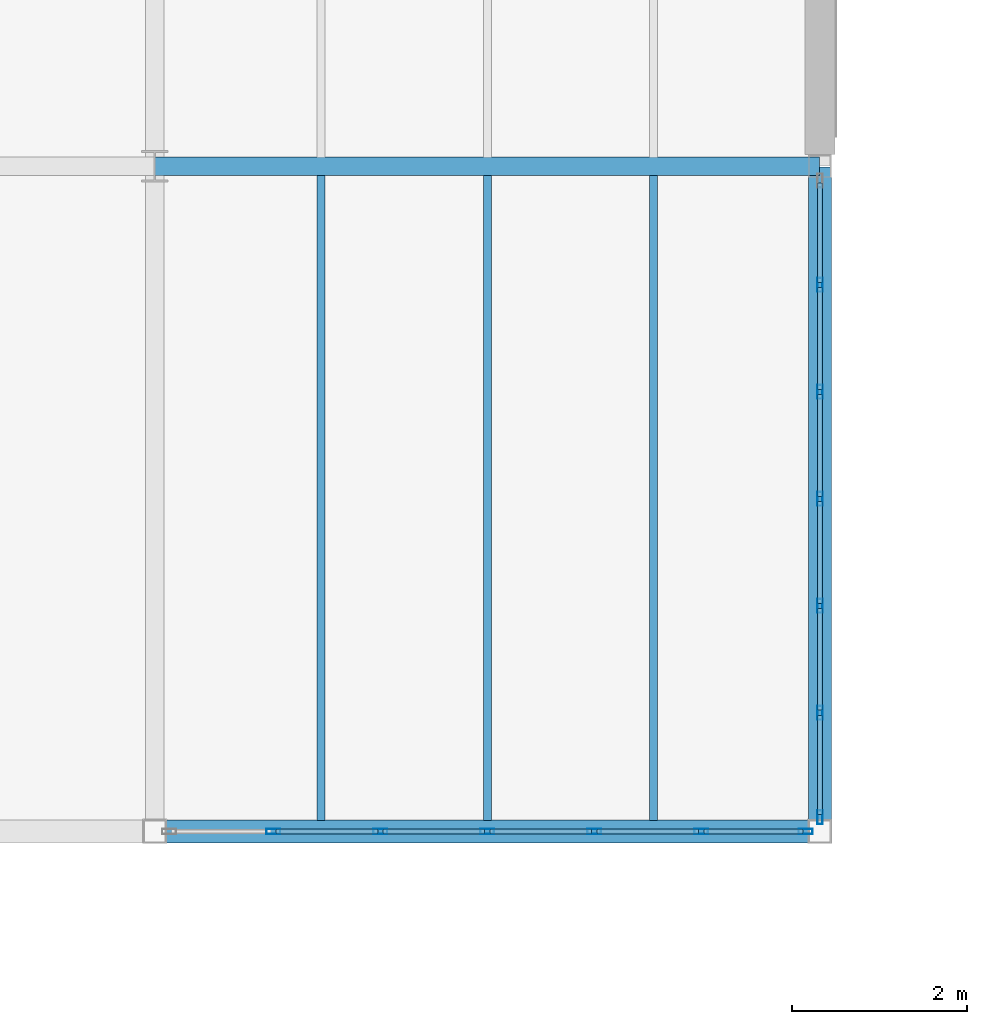
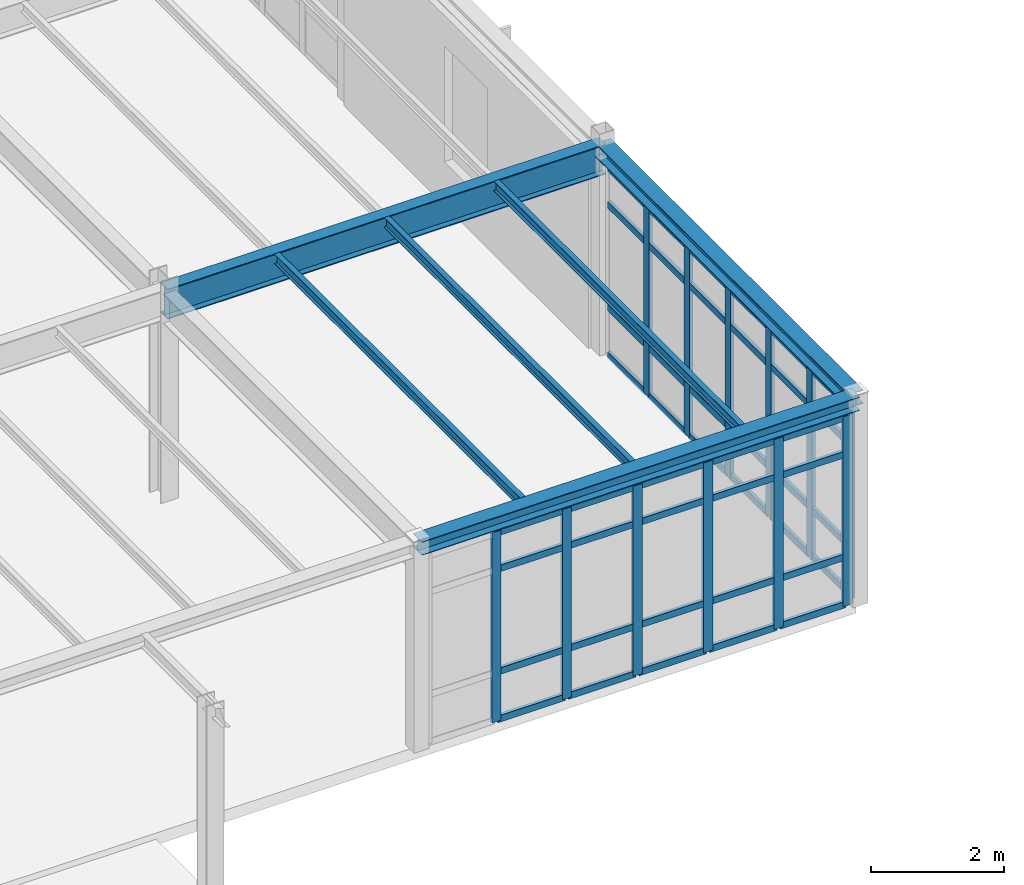
# One storey, part 65 of 189: 56 members, 6 beams, 2 elements without a shape of their own.
"""IFC4 building model written with IfcOpenShell, lengths in metres."""

from ifc_helpers import new_model, si_unit, direction, frame, origin, origin_2d, place, context, subcontext, project, spatial, hollow_rectangle, i_section, extrude, material, layer, layer_set, material_profile, profile_set, type_object, element, aggregate, save


model = new_model("IFC4")

# Units and contexts
model_context = context("Model", 3, precision=1e-05, world=origin(), true_north=direction((0.0, 1.0)))
body_context = subcontext(model_context, "Body", "Model", "MODEL_VIEW")
ifc_project = project(units=[si_unit("LENGTHUNIT", "METRE"), si_unit("AREAUNIT", "SQUARE_METRE"), si_unit("VOLUMEUNIT", "CUBIC_METRE"), si_unit("PLANEANGLEUNIT", "RADIAN"), si_unit("MASSUNIT", "GRAM", prefix="KILO")], contexts=[model_context])

# Site, building, storey
site_placement = place(None, origin())
site = spatial("IfcSite", under=ifc_project, at=site_placement, CompositionType="ELEMENT")
building_placement = place(site_placement, origin())
building = spatial("IfcBuilding", under=site, at=building_placement, Name="Montecoro Central Library", CompositionType="ELEMENT")
storey_placement = place(building_placement, frame((0.0, 0.0, 9.179931640625)))
storey = spatial("IfcBuildingStorey", under=building, at=storey_placement, Name="L02", CompositionType="ELEMENT", Elevation=9.179931640625)

# Beams
ifc_material_1 = material(Name="Steel S355J2", Category="steel")
ifc_material_profile_1 = material_profile(ifc_material_1, i_section(OverallWidth=0.2099609375, OverallDepth=0.550048828125, WebThickness=0.010986328125, FlangeThickness=0.01708984375, at=origin_2d()), Name="IPE 550")
ifc_profile_set_1 = profile_set([ifc_material_profile_1], Name="Steel S355J2")
beam_type_1 = type_object("IfcBeamType", Name="BM-G-IPE550", PredefinedType="USERDEFINED", material=ifc_profile_set_1)
beam_placement = place(storey_placement, frame((35.405029296875, 81.0, 3.550048828125), z_axis=(1.0, 0.0, 0.0), x_axis=(0.0, 1.0, 0.0)))
element("IfcBeam", 1, at=beam_placement, inside=storey, type_object=beam_type_1, Name="V4-L02-BX-56-L", ObjectType="GIRDER", PredefinedType="USERDEFINED", context=body_context, shape_type="SweptSolid", body=[
    extrude(i_section(OverallWidth=0.2099609375, OverallDepth=0.550048828125, WebThickness=0.010986328125, FlangeThickness=0.01708984375, at=origin_2d()), origin(), (0.0, 0.0, 1.0), 7.590087890625),
])
ifc_material_2 = material(Name="Steel S355", Category="steel")
ifc_material_profile_2 = material_profile(ifc_material_2, i_section(OverallWidth=0.091064453125, OverallDepth=0.179931640625, WebThickness=0.00537109375, FlangeThickness=0.008056640625, at=origin_2d()), Name="IPE 180")
ifc_profile_set_2 = profile_set([ifc_material_profile_2], Name="Steel S355")
beam_type_2 = type_object("IfcBeamType", Name="BM-J-IPE180", PredefinedType="JOIST", material=ifc_profile_set_2)
for number, where, z_axis, x_axis, name in (
    (2, (37.300048828125, 73.527099609375, 3.735107421875), (0.0, 1.0, 0.0), (-1.0, 0.0, 0.0), "V4-L02-JS-56-KL-1"),
    (3, (39.199951171875, 73.527099609375, 3.735107421875), (0.0, 1.0, 0.0), (-1.0, 0.0, 0.0), "V4-L02-JS-56-KL-2"),
    (4, (41.10009765625, 73.527099609375, 3.735107421875), (0.0, 1.0, 0.0), (-1.0, 0.0, 0.0), "V4-L02-JS-56-KL-3"),
):
    element("IfcBeam", number, at=place(storey_placement, frame(where, z_axis=z_axis, x_axis=x_axis)), inside=storey, type_object=beam_type_2, Name=name, PredefinedType="JOIST", context=body_context, shape_type="SweptSolid", body=[
        extrude(i_section(OverallWidth=0.091064453125, OverallDepth=0.179931640625, WebThickness=0.00537109375, FlangeThickness=0.008056640625, at=origin_2d()), origin(), (0.0, 0.0, 1.0), 7.370849609375),
    ])
ifc_material_profile_3 = material_profile(ifc_material_2, i_section(OverallWidth=0.260009765625, OverallDepth=0.25, WebThickness=0.007568359375, FlangeThickness=0.012451171875, at=origin_2d()), Name="HEA 260")
ifc_profile_set_3 = profile_set([ifc_material_profile_3], Name="Steel S355")
beam_type_3 = type_object("IfcBeamType", Name="BM-SP-HEA260", PredefinedType="SPANDREL", material=ifc_profile_set_3)
for number, where, z_axis, x_axis, name in (
    (5, (35.405029296875, 73.39990234375, 3.699951171875), (1.0, 0.0, 0.0), (0.0, 1.0, 0.0), "V4-L02-BX-56-K"),
    (6, (43.0, 73.405029296875, 3.699951171875), (0.0, 1.0, 0.0), (-1.0, 0.0, 0.0), "V4-L02-BY-6-KL"),
):
    element("IfcBeam", number, at=place(storey_placement, frame(where, z_axis=z_axis, x_axis=x_axis)), inside=storey, type_object=beam_type_3, Name=name, PredefinedType="SPANDREL", context=body_context, shape_type="SweptSolid", body=[
        extrude(i_section(OverallWidth=0.260009765625, OverallDepth=0.25, WebThickness=0.007568359375, FlangeThickness=0.012451171875, at=origin_2d()), origin(), (0.0, 0.0, 1.0), 7.590087890625),
    ])

# Curtain wall, members
ifc_material_3 = material(Name="Bronze-anodised aluminium and low-E glazing", Category="aluminium")
ifc_layer_1 = layer(ifc_material_3, 0.159912109375)
ifc_layer_set_1 = layer_set([ifc_layer_1], Name="Bronze-anodised aluminium and low-E glazing")
curtain_wall_type_1 = type_object("IfcCurtainWallType", Name="CWT-046", PredefinedType="NOTDEFINED", material=ifc_layer_set_1)
curtain_wall_1_placement = place(storey_placement, origin())
curtain_wall_1 = element("IfcCurtainWall", 7, at=curtain_wall_1_placement, inside=storey, type_object=curtain_wall_type_1, Name="V4-L02-CW-S4", PredefinedType="NOTDEFINED")
ifc_material_4 = material(Name="Bronze-anodised aluminium", Category="aluminium")
ifc_material_profile_4 = material_profile(ifc_material_4, hollow_rectangle(XDim=0.06005859375, YDim=0.159912109375, WallThickness=0.00390625, at=origin_2d()), Name="CWM 160x60x4.0")
ifc_profile_set_4 = profile_set([ifc_material_profile_4], Name="Bronze-anodised aluminium")
member_type_1 = type_object("IfcMemberType", Name="CWM-BRZ-60", PredefinedType="MULLION", material=ifc_profile_set_4)
member_1_placement = place(storey_placement, frame((36.75537109375, 73.39990234375, 0.0), z_axis=(0.0, 0.0, 1.0), x_axis=(0.0, 1.0, 0.0)))
member_1 = element("IfcMember", 8, at=member_1_placement, type_object=member_type_1, Name="CW-046 mullion 2", PredefinedType="MULLION", context=body_context, shape_type="SweptSolid", body=[
    extrude(hollow_rectangle(XDim=0.06005859375, YDim=0.159912109375, WallThickness=0.00390625, at=origin_2d()), origin(), (0.0, 0.0, 1.0), 3.47998046875),
])
member_2_placement = place(storey_placement, frame((37.977783203125, 73.39990234375, 0.0), z_axis=(0.0, 0.0, 1.0), x_axis=(0.0, 1.0, 0.0)))
member_2 = element("IfcMember", 9, at=member_2_placement, type_object=member_type_1, Name="CW-046 mullion 3", PredefinedType="MULLION", context=body_context, shape_type="SweptSolid", body=[
    extrude(hollow_rectangle(XDim=0.06005859375, YDim=0.159912109375, WallThickness=0.00390625, at=origin_2d()), origin(), (0.0, 0.0, 1.0), 3.47998046875),
])
member_3_placement = place(storey_placement, frame((39.199951171875, 73.39990234375, 0.0), z_axis=(0.0, 0.0, 1.0), x_axis=(0.0, 1.0, 0.0)))
member_3 = element("IfcMember", 10, at=member_3_placement, type_object=member_type_1, Name="CW-046 mullion 4", PredefinedType="MULLION", context=body_context, shape_type="SweptSolid", body=[
    extrude(hollow_rectangle(XDim=0.06005859375, YDim=0.159912109375, WallThickness=0.00390625, at=origin_2d()), origin(), (0.0, 0.0, 1.0), 3.47998046875),
])
member_4_placement = place(storey_placement, frame((40.42236328125, 73.39990234375, 0.0), z_axis=(0.0, 0.0, 1.0), x_axis=(0.0, 1.0, 0.0)))
member_4 = element("IfcMember", 11, at=member_4_placement, type_object=member_type_1, Name="CW-046 mullion 5", PredefinedType="MULLION", context=body_context, shape_type="SweptSolid", body=[
    extrude(hollow_rectangle(XDim=0.06005859375, YDim=0.159912109375, WallThickness=0.00390625, at=origin_2d()), origin(), (0.0, 0.0, 1.0), 3.47998046875),
])
member_5_placement = place(storey_placement, frame((41.644775390625, 73.39990234375, 0.0), z_axis=(0.0, 0.0, 1.0), x_axis=(0.0, 1.0, 0.0)))
member_5 = element("IfcMember", 12, at=member_5_placement, type_object=member_type_1, Name="CW-046 mullion 6", PredefinedType="MULLION", context=body_context, shape_type="SweptSolid", body=[
    extrude(hollow_rectangle(XDim=0.06005859375, YDim=0.159912109375, WallThickness=0.00390625, at=origin_2d()), origin(), (0.0, 0.0, 1.0), 3.47998046875),
])
member_6_placement = place(storey_placement, frame((42.8369140625, 73.39990234375, 0.0), z_axis=(0.0, 0.0, 1.0), x_axis=(0.0, 1.0, 0.0)))
member_6 = element("IfcMember", 13, at=member_6_placement, type_object=member_type_1, Name="CW-046 mullion 7", PredefinedType="MULLION", context=body_context, shape_type="SweptSolid", body=[
    extrude(hollow_rectangle(XDim=0.06005859375, YDim=0.159912109375, WallThickness=0.00390625, at=origin_2d()), origin(), (0.0, 0.0, 1.0), 3.47998046875),
])

ifc_layer_2 = layer(ifc_material_3, 0.159912109375)
ifc_layer_set_2 = layer_set([ifc_layer_2], Name="Bronze-anodised aluminium and low-E glazing")
curtain_wall_type_2 = type_object("IfcCurtainWallType", Name="CWT-047", PredefinedType="NOTDEFINED", material=ifc_layer_set_2)
curtain_wall_2_placement = place(storey_placement, origin())
curtain_wall_2 = element("IfcCurtainWall", 14, at=curtain_wall_2_placement, inside=storey, type_object=curtain_wall_type_2, Name="V4-L02-CW-E0", PredefinedType="NOTDEFINED")
member_7_placement = place(storey_placement, frame((43.0, 73.56298828125, 0.0), z_axis=(0.0, 0.0, 1.0), x_axis=(-1.0, 0.0, 0.0)))
member_7 = element("IfcMember", 15, at=member_7_placement, type_object=member_type_1, Name="CW-047 mullion 1", PredefinedType="MULLION", context=body_context, shape_type="SweptSolid", body=[
    extrude(hollow_rectangle(XDim=0.06005859375, YDim=0.159912109375, WallThickness=0.00390625, at=origin_2d()), origin(), (0.0, 0.0, 1.0), 3.47998046875),
])
member_8_placement = place(storey_placement, frame((43.0, 74.75537109375, 0.0), z_axis=(0.0, 0.0, 1.0), x_axis=(-1.0, 0.0, 0.0)))
member_8 = element("IfcMember", 16, at=member_8_placement, type_object=member_type_1, Name="CW-047 mullion 2", PredefinedType="MULLION", context=body_context, shape_type="SweptSolid", body=[
    extrude(hollow_rectangle(XDim=0.06005859375, YDim=0.159912109375, WallThickness=0.00390625, at=origin_2d()), origin(), (0.0, 0.0, 1.0), 3.47998046875),
])
member_9_placement = place(storey_placement, frame((43.0, 75.977783203125, 0.0), z_axis=(0.0, 0.0, 1.0), x_axis=(-1.0, 0.0, 0.0)))
member_9 = element("IfcMember", 17, at=member_9_placement, type_object=member_type_1, Name="CW-047 mullion 3", PredefinedType="MULLION", context=body_context, shape_type="SweptSolid", body=[
    extrude(hollow_rectangle(XDim=0.06005859375, YDim=0.159912109375, WallThickness=0.00390625, at=origin_2d()), origin(), (0.0, 0.0, 1.0), 3.47998046875),
])
member_10_placement = place(storey_placement, frame((43.0, 77.199951171875, 0.0), z_axis=(0.0, 0.0, 1.0), x_axis=(-1.0, 0.0, 0.0)))
member_10 = element("IfcMember", 18, at=member_10_placement, type_object=member_type_1, Name="CW-047 mullion 4", PredefinedType="MULLION", context=body_context, shape_type="SweptSolid", body=[
    extrude(hollow_rectangle(XDim=0.06005859375, YDim=0.159912109375, WallThickness=0.00390625, at=origin_2d()), origin(), (0.0, 0.0, 1.0), 3.47998046875),
])
member_11_placement = place(storey_placement, frame((43.0, 78.42236328125, 0.0), z_axis=(0.0, 0.0, 1.0), x_axis=(-1.0, 0.0, 0.0)))
member_11 = element("IfcMember", 19, at=member_11_placement, type_object=member_type_1, Name="CW-047 mullion 5", PredefinedType="MULLION", context=body_context, shape_type="SweptSolid", body=[
    extrude(hollow_rectangle(XDim=0.06005859375, YDim=0.159912109375, WallThickness=0.00390625, at=origin_2d()), origin(), (0.0, 0.0, 1.0), 3.47998046875),
])
member_12_placement = place(storey_placement, frame((43.0, 79.644775390625, 0.0), z_axis=(0.0, 0.0, 1.0), x_axis=(-1.0, 0.0, 0.0)))
member_12 = element("IfcMember", 20, at=member_12_placement, type_object=member_type_1, Name="CW-047 mullion 6", PredefinedType="MULLION", context=body_context, shape_type="SweptSolid", body=[
    extrude(hollow_rectangle(XDim=0.06005859375, YDim=0.159912109375, WallThickness=0.00390625, at=origin_2d()), origin(), (0.0, 0.0, 1.0), 3.47998046875),
])

# Member
ifc_material_profile_5 = material_profile(ifc_material_4, hollow_rectangle(XDim=0.06005859375, YDim=0.1201171875, WallThickness=0.00390625, at=origin_2d()), Name="CWT 120x60x4.0")
ifc_profile_set_5 = profile_set([ifc_material_profile_5], Name="Bronze-anodised aluminium")
member_type_2 = type_object("IfcMemberType", Name="CWT-BRZ-60", PredefinedType="USERDEFINED", material=ifc_profile_set_5)
member_13_placement = place(storey_placement, frame((36.785400390625, 73.39990234375, 0.030029296875), z_axis=(1.0, 0.0, 0.0), x_axis=(0.0, 1.0, 0.0)))
member_13 = element("IfcMember", 21, at=member_13_placement, type_object=member_type_2, Name="CW-046 transom 2.1", ObjectType="TRANSOM", PredefinedType="USERDEFINED", context=body_context, shape_type="SweptSolid", body=[
    extrude(hollow_rectangle(XDim=0.06005859375, YDim=0.1201171875, WallThickness=0.00390625, at=origin_2d()), origin(), (0.0, 0.0, 1.0), 1.162353515625),
])

member_14_placement = place(storey_placement, frame((36.785400390625, 73.39990234375, 0.900146484375), z_axis=(1.0, 0.0, 0.0), x_axis=(0.0, 1.0, 0.0)))
member_14 = element("IfcMember", 22, at=member_14_placement, type_object=member_type_2, Name="CW-046 transom 2.2", ObjectType="TRANSOM", PredefinedType="USERDEFINED", context=body_context, shape_type="SweptSolid", body=[
    extrude(hollow_rectangle(XDim=0.06005859375, YDim=0.1201171875, WallThickness=0.00390625, at=origin_2d()), origin(), (0.0, 0.0, 1.0), 1.162353515625),
])

member_15_placement = place(storey_placement, frame((36.785400390625, 73.39990234375, 2.780029296875), z_axis=(1.0, 0.0, 0.0), x_axis=(0.0, 1.0, 0.0)))
member_15 = element("IfcMember", 23, at=member_15_placement, type_object=member_type_2, Name="CW-046 transom 2.3", ObjectType="TRANSOM", PredefinedType="USERDEFINED", context=body_context, shape_type="SweptSolid", body=[
    extrude(hollow_rectangle(XDim=0.06005859375, YDim=0.1201171875, WallThickness=0.00390625, at=origin_2d()), origin(), (0.0, 0.0, 1.0), 1.162353515625),
])

member_16_placement = place(storey_placement, frame((36.785400390625, 73.39990234375, 3.449951171875), z_axis=(1.0, 0.0, 0.0), x_axis=(0.0, 1.0, 0.0)))
member_16 = element("IfcMember", 24, at=member_16_placement, type_object=member_type_2, Name="CW-046 transom 2.4", ObjectType="TRANSOM", PredefinedType="USERDEFINED", context=body_context, shape_type="SweptSolid", body=[
    extrude(hollow_rectangle(XDim=0.06005859375, YDim=0.1201171875, WallThickness=0.00390625, at=origin_2d()), origin(), (0.0, 0.0, 1.0), 1.162353515625),
])

member_17_placement = place(storey_placement, frame((38.007568359375, 73.39990234375, 0.030029296875), z_axis=(1.0, 0.0, 0.0), x_axis=(0.0, 1.0, 0.0)))
member_17 = element("IfcMember", 25, at=member_17_placement, type_object=member_type_2, Name="CW-046 transom 3.1", ObjectType="TRANSOM", PredefinedType="USERDEFINED", context=body_context, shape_type="SweptSolid", body=[
    extrude(hollow_rectangle(XDim=0.06005859375, YDim=0.1201171875, WallThickness=0.00390625, at=origin_2d()), origin(), (0.0, 0.0, 1.0), 1.162353515625),
])

member_18_placement = place(storey_placement, frame((38.007568359375, 73.39990234375, 0.900146484375), z_axis=(1.0, 0.0, 0.0), x_axis=(0.0, 1.0, 0.0)))
member_18 = element("IfcMember", 26, at=member_18_placement, type_object=member_type_2, Name="CW-046 transom 3.2", ObjectType="TRANSOM", PredefinedType="USERDEFINED", context=body_context, shape_type="SweptSolid", body=[
    extrude(hollow_rectangle(XDim=0.06005859375, YDim=0.1201171875, WallThickness=0.00390625, at=origin_2d()), origin(), (0.0, 0.0, 1.0), 1.162353515625),
])

member_19_placement = place(storey_placement, frame((38.007568359375, 73.39990234375, 2.780029296875), z_axis=(1.0, 0.0, 0.0), x_axis=(0.0, 1.0, 0.0)))
member_19 = element("IfcMember", 27, at=member_19_placement, type_object=member_type_2, Name="CW-046 transom 3.3", ObjectType="TRANSOM", PredefinedType="USERDEFINED", context=body_context, shape_type="SweptSolid", body=[
    extrude(hollow_rectangle(XDim=0.06005859375, YDim=0.1201171875, WallThickness=0.00390625, at=origin_2d()), origin(), (0.0, 0.0, 1.0), 1.162353515625),
])

member_20_placement = place(storey_placement, frame((38.007568359375, 73.39990234375, 3.449951171875), z_axis=(1.0, 0.0, 0.0), x_axis=(0.0, 1.0, 0.0)))
member_20 = element("IfcMember", 28, at=member_20_placement, type_object=member_type_2, Name="CW-046 transom 3.4", ObjectType="TRANSOM", PredefinedType="USERDEFINED", context=body_context, shape_type="SweptSolid", body=[
    extrude(hollow_rectangle(XDim=0.06005859375, YDim=0.1201171875, WallThickness=0.00390625, at=origin_2d()), origin(), (0.0, 0.0, 1.0), 1.162353515625),
])

member_21_placement = place(storey_placement, frame((39.22998046875, 73.39990234375, 0.030029296875), z_axis=(1.0, 0.0, 0.0), x_axis=(0.0, 1.0, 0.0)))
member_21 = element("IfcMember", 29, at=member_21_placement, type_object=member_type_2, Name="CW-046 transom 4.1", ObjectType="TRANSOM", PredefinedType="USERDEFINED", context=body_context, shape_type="SweptSolid", body=[
    extrude(hollow_rectangle(XDim=0.06005859375, YDim=0.1201171875, WallThickness=0.00390625, at=origin_2d()), origin(), (0.0, 0.0, 1.0), 1.162353515625),
])

member_22_placement = place(storey_placement, frame((39.22998046875, 73.39990234375, 0.900146484375), z_axis=(1.0, 0.0, 0.0), x_axis=(0.0, 1.0, 0.0)))
member_22 = element("IfcMember", 30, at=member_22_placement, type_object=member_type_2, Name="CW-046 transom 4.2", ObjectType="TRANSOM", PredefinedType="USERDEFINED", context=body_context, shape_type="SweptSolid", body=[
    extrude(hollow_rectangle(XDim=0.06005859375, YDim=0.1201171875, WallThickness=0.00390625, at=origin_2d()), origin(), (0.0, 0.0, 1.0), 1.162353515625),
])

member_23_placement = place(storey_placement, frame((39.22998046875, 73.39990234375, 2.780029296875), z_axis=(1.0, 0.0, 0.0), x_axis=(0.0, 1.0, 0.0)))
member_23 = element("IfcMember", 31, at=member_23_placement, type_object=member_type_2, Name="CW-046 transom 4.3", ObjectType="TRANSOM", PredefinedType="USERDEFINED", context=body_context, shape_type="SweptSolid", body=[
    extrude(hollow_rectangle(XDim=0.06005859375, YDim=0.1201171875, WallThickness=0.00390625, at=origin_2d()), origin(), (0.0, 0.0, 1.0), 1.162353515625),
])

member_24_placement = place(storey_placement, frame((39.22998046875, 73.39990234375, 3.449951171875), z_axis=(1.0, 0.0, 0.0), x_axis=(0.0, 1.0, 0.0)))
member_24 = element("IfcMember", 32, at=member_24_placement, type_object=member_type_2, Name="CW-046 transom 4.4", ObjectType="TRANSOM", PredefinedType="USERDEFINED", context=body_context, shape_type="SweptSolid", body=[
    extrude(hollow_rectangle(XDim=0.06005859375, YDim=0.1201171875, WallThickness=0.00390625, at=origin_2d()), origin(), (0.0, 0.0, 1.0), 1.162353515625),
])

member_25_placement = place(storey_placement, frame((40.452392578125, 73.39990234375, 0.030029296875), z_axis=(1.0, 0.0, 0.0), x_axis=(0.0, 1.0, 0.0)))
member_25 = element("IfcMember", 33, at=member_25_placement, type_object=member_type_2, Name="CW-046 transom 5.1", ObjectType="TRANSOM", PredefinedType="USERDEFINED", context=body_context, shape_type="SweptSolid", body=[
    extrude(hollow_rectangle(XDim=0.06005859375, YDim=0.1201171875, WallThickness=0.00390625, at=origin_2d()), origin(), (0.0, 0.0, 1.0), 1.162353515625),
])

member_26_placement = place(storey_placement, frame((40.452392578125, 73.39990234375, 0.900146484375), z_axis=(1.0, 0.0, 0.0), x_axis=(0.0, 1.0, 0.0)))
member_26 = element("IfcMember", 34, at=member_26_placement, type_object=member_type_2, Name="CW-046 transom 5.2", ObjectType="TRANSOM", PredefinedType="USERDEFINED", context=body_context, shape_type="SweptSolid", body=[
    extrude(hollow_rectangle(XDim=0.06005859375, YDim=0.1201171875, WallThickness=0.00390625, at=origin_2d()), origin(), (0.0, 0.0, 1.0), 1.162353515625),
])

member_27_placement = place(storey_placement, frame((40.452392578125, 73.39990234375, 2.780029296875), z_axis=(1.0, 0.0, 0.0), x_axis=(0.0, 1.0, 0.0)))
member_27 = element("IfcMember", 35, at=member_27_placement, type_object=member_type_2, Name="CW-046 transom 5.3", ObjectType="TRANSOM", PredefinedType="USERDEFINED", context=body_context, shape_type="SweptSolid", body=[
    extrude(hollow_rectangle(XDim=0.06005859375, YDim=0.1201171875, WallThickness=0.00390625, at=origin_2d()), origin(), (0.0, 0.0, 1.0), 1.162353515625),
])

member_28_placement = place(storey_placement, frame((40.452392578125, 73.39990234375, 3.449951171875), z_axis=(1.0, 0.0, 0.0), x_axis=(0.0, 1.0, 0.0)))
member_28 = element("IfcMember", 36, at=member_28_placement, type_object=member_type_2, Name="CW-046 transom 5.4", ObjectType="TRANSOM", PredefinedType="USERDEFINED", context=body_context, shape_type="SweptSolid", body=[
    extrude(hollow_rectangle(XDim=0.06005859375, YDim=0.1201171875, WallThickness=0.00390625, at=origin_2d()), origin(), (0.0, 0.0, 1.0), 1.162353515625),
])

member_29_placement = place(storey_placement, frame((41.674560546875, 73.39990234375, 0.030029296875), z_axis=(1.0, 0.0, 0.0), x_axis=(0.0, 1.0, 0.0)))
member_29 = element("IfcMember", 37, at=member_29_placement, type_object=member_type_2, Name="CW-046 transom 6.1", ObjectType="TRANSOM", PredefinedType="USERDEFINED", context=body_context, shape_type="SweptSolid", body=[
    extrude(hollow_rectangle(XDim=0.06005859375, YDim=0.1201171875, WallThickness=0.00390625, at=origin_2d()), origin(), (0.0, 0.0, 1.0), 1.13232421875),
])

member_30_placement = place(storey_placement, frame((41.674560546875, 73.39990234375, 0.900146484375), z_axis=(1.0, 0.0, 0.0), x_axis=(0.0, 1.0, 0.0)))
member_30 = element("IfcMember", 38, at=member_30_placement, type_object=member_type_2, Name="CW-046 transom 6.2", ObjectType="TRANSOM", PredefinedType="USERDEFINED", context=body_context, shape_type="SweptSolid", body=[
    extrude(hollow_rectangle(XDim=0.06005859375, YDim=0.1201171875, WallThickness=0.00390625, at=origin_2d()), origin(), (0.0, 0.0, 1.0), 1.13232421875),
])

member_31_placement = place(storey_placement, frame((41.674560546875, 73.39990234375, 2.780029296875), z_axis=(1.0, 0.0, 0.0), x_axis=(0.0, 1.0, 0.0)))
member_31 = element("IfcMember", 39, at=member_31_placement, type_object=member_type_2, Name="CW-046 transom 6.3", ObjectType="TRANSOM", PredefinedType="USERDEFINED", context=body_context, shape_type="SweptSolid", body=[
    extrude(hollow_rectangle(XDim=0.06005859375, YDim=0.1201171875, WallThickness=0.00390625, at=origin_2d()), origin(), (0.0, 0.0, 1.0), 1.13232421875),
])

member_32_placement = place(storey_placement, frame((41.674560546875, 73.39990234375, 3.449951171875), z_axis=(1.0, 0.0, 0.0), x_axis=(0.0, 1.0, 0.0)))
member_32 = element("IfcMember", 40, at=member_32_placement, type_object=member_type_2, Name="CW-046 transom 6.4", ObjectType="TRANSOM", PredefinedType="USERDEFINED", context=body_context, shape_type="SweptSolid", body=[
    extrude(hollow_rectangle(XDim=0.06005859375, YDim=0.1201171875, WallThickness=0.00390625, at=origin_2d()), origin(), (0.0, 0.0, 1.0), 1.13232421875),
])

aggregate(curtain_wall_1, [member_1, member_2, member_3, member_4, member_5, member_6, member_13, member_14, member_15, member_16, member_17, member_18, member_19, member_20, member_21, member_22, member_23, member_24, member_25, member_26, member_27, member_28, member_29, member_30, member_31, member_32])

member_33_placement = place(storey_placement, frame((43.0, 73.593017578125, 0.030029296875), z_axis=(0.0, 1.0, 0.0), x_axis=(-1.0, 0.0, 0.0)))
member_33 = element("IfcMember", 41, at=member_33_placement, type_object=member_type_2, Name="CW-047 transom 1.1", ObjectType="TRANSOM", PredefinedType="USERDEFINED", context=body_context, shape_type="SweptSolid", body=[
    extrude(hollow_rectangle(XDim=0.06005859375, YDim=0.1201171875, WallThickness=0.00390625, at=origin_2d()), origin(), (0.0, 0.0, 1.0), 1.13232421875),
])

member_34_placement = place(storey_placement, frame((43.0, 73.593017578125, 0.900146484375), z_axis=(0.0, 1.0, 0.0), x_axis=(-1.0, 0.0, 0.0)))
member_34 = element("IfcMember", 42, at=member_34_placement, type_object=member_type_2, Name="CW-047 transom 1.2", ObjectType="TRANSOM", PredefinedType="USERDEFINED", context=body_context, shape_type="SweptSolid", body=[
    extrude(hollow_rectangle(XDim=0.06005859375, YDim=0.1201171875, WallThickness=0.00390625, at=origin_2d()), origin(), (0.0, 0.0, 1.0), 1.13232421875),
])

member_35_placement = place(storey_placement, frame((43.0, 73.593017578125, 2.780029296875), z_axis=(0.0, 1.0, 0.0), x_axis=(-1.0, 0.0, 0.0)))
member_35 = element("IfcMember", 43, at=member_35_placement, type_object=member_type_2, Name="CW-047 transom 1.3", ObjectType="TRANSOM", PredefinedType="USERDEFINED", context=body_context, shape_type="SweptSolid", body=[
    extrude(hollow_rectangle(XDim=0.06005859375, YDim=0.1201171875, WallThickness=0.00390625, at=origin_2d()), origin(), (0.0, 0.0, 1.0), 1.13232421875),
])

member_36_placement = place(storey_placement, frame((43.0, 73.593017578125, 3.449951171875), z_axis=(0.0, 1.0, 0.0), x_axis=(-1.0, 0.0, 0.0)))
member_36 = element("IfcMember", 44, at=member_36_placement, type_object=member_type_2, Name="CW-047 transom 1.4", ObjectType="TRANSOM", PredefinedType="USERDEFINED", context=body_context, shape_type="SweptSolid", body=[
    extrude(hollow_rectangle(XDim=0.06005859375, YDim=0.1201171875, WallThickness=0.00390625, at=origin_2d()), origin(), (0.0, 0.0, 1.0), 1.13232421875),
])

member_37_placement = place(storey_placement, frame((43.0, 74.785400390625, 0.030029296875), z_axis=(0.0, 1.0, 0.0), x_axis=(-1.0, 0.0, 0.0)))
member_37 = element("IfcMember", 45, at=member_37_placement, type_object=member_type_2, Name="CW-047 transom 2.1", ObjectType="TRANSOM", PredefinedType="USERDEFINED", context=body_context, shape_type="SweptSolid", body=[
    extrude(hollow_rectangle(XDim=0.06005859375, YDim=0.1201171875, WallThickness=0.00390625, at=origin_2d()), origin(), (0.0, 0.0, 1.0), 1.162353515625),
])

member_38_placement = place(storey_placement, frame((43.0, 74.785400390625, 0.900146484375), z_axis=(0.0, 1.0, 0.0), x_axis=(-1.0, 0.0, 0.0)))
member_38 = element("IfcMember", 46, at=member_38_placement, type_object=member_type_2, Name="CW-047 transom 2.2", ObjectType="TRANSOM", PredefinedType="USERDEFINED", context=body_context, shape_type="SweptSolid", body=[
    extrude(hollow_rectangle(XDim=0.06005859375, YDim=0.1201171875, WallThickness=0.00390625, at=origin_2d()), origin(), (0.0, 0.0, 1.0), 1.162353515625),
])

member_39_placement = place(storey_placement, frame((43.0, 74.785400390625, 2.780029296875), z_axis=(0.0, 1.0, 0.0), x_axis=(-1.0, 0.0, 0.0)))
member_39 = element("IfcMember", 47, at=member_39_placement, type_object=member_type_2, Name="CW-047 transom 2.3", ObjectType="TRANSOM", PredefinedType="USERDEFINED", context=body_context, shape_type="SweptSolid", body=[
    extrude(hollow_rectangle(XDim=0.06005859375, YDim=0.1201171875, WallThickness=0.00390625, at=origin_2d()), origin(), (0.0, 0.0, 1.0), 1.162353515625),
])

member_40_placement = place(storey_placement, frame((43.0, 74.785400390625, 3.449951171875), z_axis=(0.0, 1.0, 0.0), x_axis=(-1.0, 0.0, 0.0)))
member_40 = element("IfcMember", 48, at=member_40_placement, type_object=member_type_2, Name="CW-047 transom 2.4", ObjectType="TRANSOM", PredefinedType="USERDEFINED", context=body_context, shape_type="SweptSolid", body=[
    extrude(hollow_rectangle(XDim=0.06005859375, YDim=0.1201171875, WallThickness=0.00390625, at=origin_2d()), origin(), (0.0, 0.0, 1.0), 1.162353515625),
])

member_41_placement = place(storey_placement, frame((43.0, 76.007568359375, 0.030029296875), z_axis=(0.0, 1.0, 0.0), x_axis=(-1.0, 0.0, 0.0)))
member_41 = element("IfcMember", 49, at=member_41_placement, type_object=member_type_2, Name="CW-047 transom 3.1", ObjectType="TRANSOM", PredefinedType="USERDEFINED", context=body_context, shape_type="SweptSolid", body=[
    extrude(hollow_rectangle(XDim=0.06005859375, YDim=0.1201171875, WallThickness=0.00390625, at=origin_2d()), origin(), (0.0, 0.0, 1.0), 1.162353515625),
])

member_42_placement = place(storey_placement, frame((43.0, 76.007568359375, 0.900146484375), z_axis=(0.0, 1.0, 0.0), x_axis=(-1.0, 0.0, 0.0)))
member_42 = element("IfcMember", 50, at=member_42_placement, type_object=member_type_2, Name="CW-047 transom 3.2", ObjectType="TRANSOM", PredefinedType="USERDEFINED", context=body_context, shape_type="SweptSolid", body=[
    extrude(hollow_rectangle(XDim=0.06005859375, YDim=0.1201171875, WallThickness=0.00390625, at=origin_2d()), origin(), (0.0, 0.0, 1.0), 1.162353515625),
])

member_43_placement = place(storey_placement, frame((43.0, 76.007568359375, 2.780029296875), z_axis=(0.0, 1.0, 0.0), x_axis=(-1.0, 0.0, 0.0)))
member_43 = element("IfcMember", 51, at=member_43_placement, type_object=member_type_2, Name="CW-047 transom 3.3", ObjectType="TRANSOM", PredefinedType="USERDEFINED", context=body_context, shape_type="SweptSolid", body=[
    extrude(hollow_rectangle(XDim=0.06005859375, YDim=0.1201171875, WallThickness=0.00390625, at=origin_2d()), origin(), (0.0, 0.0, 1.0), 1.162353515625),
])

member_44_placement = place(storey_placement, frame((43.0, 76.007568359375, 3.449951171875), z_axis=(0.0, 1.0, 0.0), x_axis=(-1.0, 0.0, 0.0)))
member_44 = element("IfcMember", 52, at=member_44_placement, type_object=member_type_2, Name="CW-047 transom 3.4", ObjectType="TRANSOM", PredefinedType="USERDEFINED", context=body_context, shape_type="SweptSolid", body=[
    extrude(hollow_rectangle(XDim=0.06005859375, YDim=0.1201171875, WallThickness=0.00390625, at=origin_2d()), origin(), (0.0, 0.0, 1.0), 1.162353515625),
])

member_45_placement = place(storey_placement, frame((43.0, 77.22998046875, 0.030029296875), z_axis=(0.0, 1.0, 0.0), x_axis=(-1.0, 0.0, 0.0)))
member_45 = element("IfcMember", 53, at=member_45_placement, type_object=member_type_2, Name="CW-047 transom 4.1", ObjectType="TRANSOM", PredefinedType="USERDEFINED", context=body_context, shape_type="SweptSolid", body=[
    extrude(hollow_rectangle(XDim=0.06005859375, YDim=0.1201171875, WallThickness=0.00390625, at=origin_2d()), origin(), (0.0, 0.0, 1.0), 1.162353515625),
])

member_46_placement = place(storey_placement, frame((43.0, 77.22998046875, 0.900146484375), z_axis=(0.0, 1.0, 0.0), x_axis=(-1.0, 0.0, 0.0)))
member_46 = element("IfcMember", 54, at=member_46_placement, type_object=member_type_2, Name="CW-047 transom 4.2", ObjectType="TRANSOM", PredefinedType="USERDEFINED", context=body_context, shape_type="SweptSolid", body=[
    extrude(hollow_rectangle(XDim=0.06005859375, YDim=0.1201171875, WallThickness=0.00390625, at=origin_2d()), origin(), (0.0, 0.0, 1.0), 1.162353515625),
])

member_47_placement = place(storey_placement, frame((43.0, 77.22998046875, 2.780029296875), z_axis=(0.0, 1.0, 0.0), x_axis=(-1.0, 0.0, 0.0)))
member_47 = element("IfcMember", 55, at=member_47_placement, type_object=member_type_2, Name="CW-047 transom 4.3", ObjectType="TRANSOM", PredefinedType="USERDEFINED", context=body_context, shape_type="SweptSolid", body=[
    extrude(hollow_rectangle(XDim=0.06005859375, YDim=0.1201171875, WallThickness=0.00390625, at=origin_2d()), origin(), (0.0, 0.0, 1.0), 1.162353515625),
])

member_48_placement = place(storey_placement, frame((43.0, 77.22998046875, 3.449951171875), z_axis=(0.0, 1.0, 0.0), x_axis=(-1.0, 0.0, 0.0)))
member_48 = element("IfcMember", 56, at=member_48_placement, type_object=member_type_2, Name="CW-047 transom 4.4", ObjectType="TRANSOM", PredefinedType="USERDEFINED", context=body_context, shape_type="SweptSolid", body=[
    extrude(hollow_rectangle(XDim=0.06005859375, YDim=0.1201171875, WallThickness=0.00390625, at=origin_2d()), origin(), (0.0, 0.0, 1.0), 1.162353515625),
])

member_49_placement = place(storey_placement, frame((43.0, 78.452392578125, 0.030029296875), z_axis=(0.0, 1.0, 0.0), x_axis=(-1.0, 0.0, 0.0)))
member_49 = element("IfcMember", 57, at=member_49_placement, type_object=member_type_2, Name="CW-047 transom 5.1", ObjectType="TRANSOM", PredefinedType="USERDEFINED", context=body_context, shape_type="SweptSolid", body=[
    extrude(hollow_rectangle(XDim=0.06005859375, YDim=0.1201171875, WallThickness=0.00390625, at=origin_2d()), origin(), (0.0, 0.0, 1.0), 1.162353515625),
])

member_50_placement = place(storey_placement, frame((43.0, 78.452392578125, 0.900146484375), z_axis=(0.0, 1.0, 0.0), x_axis=(-1.0, 0.0, 0.0)))
member_50 = element("IfcMember", 58, at=member_50_placement, type_object=member_type_2, Name="CW-047 transom 5.2", ObjectType="TRANSOM", PredefinedType="USERDEFINED", context=body_context, shape_type="SweptSolid", body=[
    extrude(hollow_rectangle(XDim=0.06005859375, YDim=0.1201171875, WallThickness=0.00390625, at=origin_2d()), origin(), (0.0, 0.0, 1.0), 1.162353515625),
])

member_51_placement = place(storey_placement, frame((43.0, 78.452392578125, 2.780029296875), z_axis=(0.0, 1.0, 0.0), x_axis=(-1.0, 0.0, 0.0)))
member_51 = element("IfcMember", 59, at=member_51_placement, type_object=member_type_2, Name="CW-047 transom 5.3", ObjectType="TRANSOM", PredefinedType="USERDEFINED", context=body_context, shape_type="SweptSolid", body=[
    extrude(hollow_rectangle(XDim=0.06005859375, YDim=0.1201171875, WallThickness=0.00390625, at=origin_2d()), origin(), (0.0, 0.0, 1.0), 1.162353515625),
])

member_52_placement = place(storey_placement, frame((43.0, 78.452392578125, 3.449951171875), z_axis=(0.0, 1.0, 0.0), x_axis=(-1.0, 0.0, 0.0)))
member_52 = element("IfcMember", 60, at=member_52_placement, type_object=member_type_2, Name="CW-047 transom 5.4", ObjectType="TRANSOM", PredefinedType="USERDEFINED", context=body_context, shape_type="SweptSolid", body=[
    extrude(hollow_rectangle(XDim=0.06005859375, YDim=0.1201171875, WallThickness=0.00390625, at=origin_2d()), origin(), (0.0, 0.0, 1.0), 1.162353515625),
])

member_53_placement = place(storey_placement, frame((43.0, 79.674560546875, 0.030029296875), z_axis=(0.0, 1.0, 0.0), x_axis=(-1.0, 0.0, 0.0)))
member_53 = element("IfcMember", 61, at=member_53_placement, type_object=member_type_2, Name="CW-047 transom 6.1", ObjectType="TRANSOM", PredefinedType="USERDEFINED", context=body_context, shape_type="SweptSolid", body=[
    extrude(hollow_rectangle(XDim=0.06005859375, YDim=0.1201171875, WallThickness=0.00390625, at=origin_2d()), origin(), (0.0, 0.0, 1.0), 1.13232421875),
])

member_54_placement = place(storey_placement, frame((43.0, 79.674560546875, 0.900146484375), z_axis=(0.0, 1.0, 0.0), x_axis=(-1.0, 0.0, 0.0)))
member_54 = element("IfcMember", 62, at=member_54_placement, type_object=member_type_2, Name="CW-047 transom 6.2", ObjectType="TRANSOM", PredefinedType="USERDEFINED", context=body_context, shape_type="SweptSolid", body=[
    extrude(hollow_rectangle(XDim=0.06005859375, YDim=0.1201171875, WallThickness=0.00390625, at=origin_2d()), origin(), (0.0, 0.0, 1.0), 1.13232421875),
])

member_55_placement = place(storey_placement, frame((43.0, 79.674560546875, 2.780029296875), z_axis=(0.0, 1.0, 0.0), x_axis=(-1.0, 0.0, 0.0)))
member_55 = element("IfcMember", 63, at=member_55_placement, type_object=member_type_2, Name="CW-047 transom 6.3", ObjectType="TRANSOM", PredefinedType="USERDEFINED", context=body_context, shape_type="SweptSolid", body=[
    extrude(hollow_rectangle(XDim=0.06005859375, YDim=0.1201171875, WallThickness=0.00390625, at=origin_2d()), origin(), (0.0, 0.0, 1.0), 1.13232421875),
])

member_56_placement = place(storey_placement, frame((43.0, 79.674560546875, 3.449951171875), z_axis=(0.0, 1.0, 0.0), x_axis=(-1.0, 0.0, 0.0)))
member_56 = element("IfcMember", 64, at=member_56_placement, type_object=member_type_2, Name="CW-047 transom 6.4", ObjectType="TRANSOM", PredefinedType="USERDEFINED", context=body_context, shape_type="SweptSolid", body=[
    extrude(hollow_rectangle(XDim=0.06005859375, YDim=0.1201171875, WallThickness=0.00390625, at=origin_2d()), origin(), (0.0, 0.0, 1.0), 1.13232421875),
])

aggregate(curtain_wall_2, [member_7, member_8, member_9, member_10, member_11, member_12, member_33, member_34, member_35, member_36, member_37, member_38, member_39, member_40, member_41, member_42, member_43, member_44, member_45, member_46, member_47, member_48, member_49, member_50, member_51, member_52, member_53, member_54, member_55, member_56])

save(model, "model.ifc")
